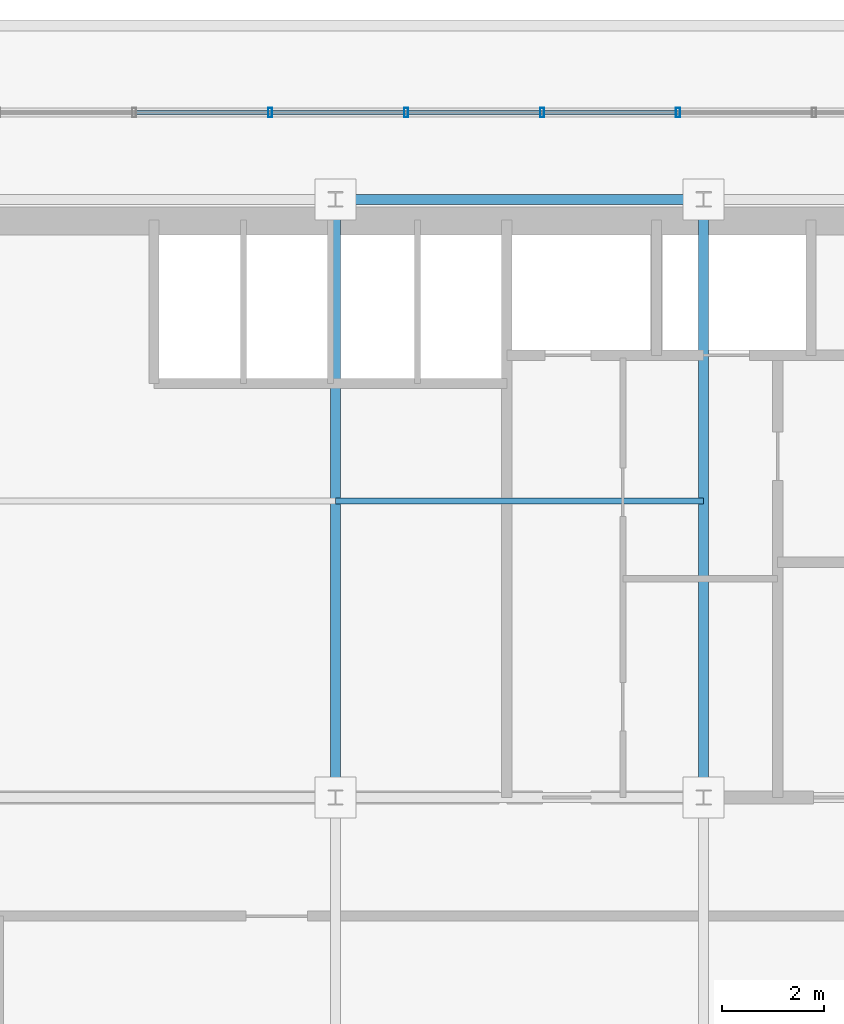
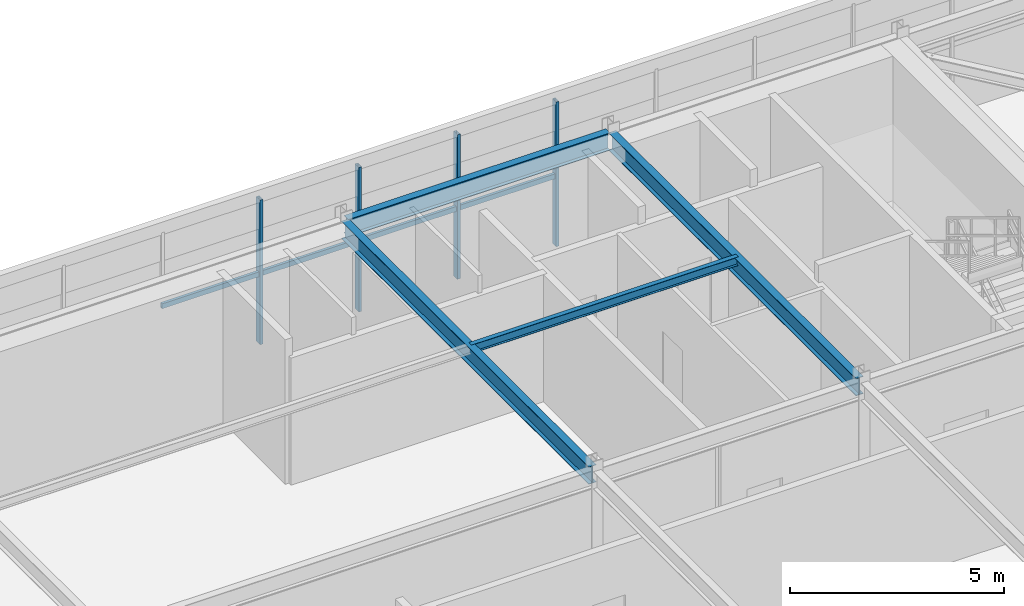
# One storey, part 22 of 38: 9 members, 3 beams, 1 element without a shape of its own.
"""IFC4 building model written with IfcOpenShell, lengths in metres."""

from ifc_helpers import new_model, si_unit, direction, frame, origin, origin_2d, place, context, subcontext, project, spatial, hollow_rectangle, i_section, extrude, source, transform, mapped, material, material_profile, profile_set, type_object, element, aggregate, save


model = new_model("IFC4")

# Units and contexts
model_context = context("Model", 3, precision=1e-05, world=origin(), true_north=direction((0.0, 1.0)))
body_context = subcontext(model_context, "Body", "Model", "MODEL_VIEW")
ifc_project = project(units=[si_unit("LENGTHUNIT", "METRE"), si_unit("AREAUNIT", "SQUARE_METRE"), si_unit("VOLUMEUNIT", "CUBIC_METRE"), si_unit("PLANEANGLEUNIT", "RADIAN"), si_unit("MASSUNIT", "GRAM", prefix="KILO")], contexts=[model_context])

# Site, building, storey
site_placement = place(None, origin())
site = spatial("IfcSite", under=ifc_project, at=site_placement, CompositionType="ELEMENT")
building_placement = place(site_placement, origin())
building = spatial("IfcBuilding", under=site, at=building_placement, Name="Trelvane Seafront Commons", CompositionType="ELEMENT")
storey_placement = place(building_placement, frame((0.0, 0.0, 299.10009765625)))
storey = spatial("IfcBuildingStorey", under=building, at=storey_placement, Name="L78", CompositionType="ELEMENT", Elevation=299.10009765625)

# Beams
ifc_material_1 = material(Name="Steel SM355 (S355)", Category="steel")
ifc_material_profile_1 = material_profile(ifc_material_1, i_section(OverallWidth=0.199951171875, OverallDepth=0.5, WebThickness=0.010009765625, FlangeThickness=0.01611328125, at=origin_2d()), Name="H-500x200x10x16")
ifc_profile_set_1 = profile_set([ifc_material_profile_1], Name="Steel SM355 (S355)")
beam_type_1 = type_object("IfcBeamType", Name="STR-CROWN-FRAME-RING", PredefinedType="SPANDREL", material=ifc_profile_set_1)
shared_shape_1 = source(origin(), body_context, "Body", "SweptSolid", [
    extrude(i_section(OverallWidth=0.199951171875, OverallDepth=0.5, WebThickness=0.010009765625, FlangeThickness=0.01611328125, at=origin_2d()), origin(), (0.0, 0.0, 1.0), 7.050048828125),
])
beam_placement = place(storey_placement, frame((43.875, 45.10009765625, 3.869873046875), z_axis=(1.0, 0.0, 0.0), x_axis=(0.0, 1.0, 0.0)))
element("IfcBeam", 1, at=beam_placement, inside=storey, type_object=beam_type_1, Name="L78 CROWN FRAME Ring Beam G-19", PredefinedType="SPANDREL", context=body_context, shape_type="MappedRepresentation", body=[
    mapped(shared_shape_1, transform((0.0, 0.0, 0.0), x_axis=(1.0, 0.0, 0.0), y_axis=(0.0, 1.0, 0.0), z_axis=(0.0, 0.0, 1.0), scale=1.0)),
])
ifc_material_profile_2 = material_profile(ifc_material_1, i_section(OverallWidth=0.199951171875, OverallDepth=0.5, WebThickness=0.010009765625, FlangeThickness=0.01611328125, at=origin_2d()), Name="H-500x200x10x16")
ifc_profile_set_2 = profile_set([ifc_material_profile_2], Name="Steel SM355 (S355)")
beam_type_2 = type_object("IfcBeamType", Name="STR-BM-H500", PredefinedType="BEAM", material=ifc_profile_set_2)
shared_shape_2 = source(origin(), body_context, "Body", "SweptSolid", [
    extrude(i_section(OverallWidth=0.199951171875, OverallDepth=0.5, WebThickness=0.010009765625, FlangeThickness=0.01611328125, at=origin_2d()), origin(), (0.0, 0.0, 1.0), 11.5498046875),
])
for number, where, z_axis, x_axis, name in (
    (2, (43.800048828125, 33.47509765625, 3.869873046875), (0.0, 1.0, 0.0), (-1.0, 0.0, 0.0), "L78 Primary Girder G-31"),
    (3, (51.0, 33.47509765625, 3.869873046875), (0.0, 1.0, 0.0), (-1.0, 0.0, 0.0), "L78 Primary Girder G-33"),
):
    element("IfcBeam", number, at=place(storey_placement, frame(where, z_axis=z_axis, x_axis=x_axis)), inside=storey, type_object=beam_type_2, Name=name, PredefinedType="BEAM", context=body_context, shape_type="MappedRepresentation", body=[
        mapped(shared_shape_2, transform((0.0, 0.0, 0.0), x_axis=(1.0, 0.0, 0.0), y_axis=(0.0, 1.0, 0.0), z_axis=(0.0, 0.0, 1.0), scale=1.0)),
    ])

# Member
ifc_material_profile_3 = material_profile(ifc_material_1, i_section(OverallWidth=0.125, OverallDepth=0.25, WebThickness=0.006103515625, FlangeThickness=0.009033203125, at=origin_2d()), Name="H-250x125x6x9")
ifc_profile_set_3 = profile_set([ifc_material_profile_3], Name="Steel SM355 (S355)")
member_type_1 = type_object("IfcMemberType", Name="STR-PUR-H250", PredefinedType="PURLIN", material=ifc_profile_set_3)
shared_shape_3 = source(origin(), body_context, "Body", "SweptSolid", [
    extrude(i_section(OverallWidth=0.125, OverallDepth=0.25, WebThickness=0.006103515625, FlangeThickness=0.009033203125, at=origin_2d()), origin(), (0.0, 0.0, 1.0), 7.199951171875),
])
member_1_placement = place(storey_placement, frame((43.800048828125, 39.199951171875, 3.994873046875), z_axis=(1.0, 0.0, 0.0), x_axis=(0.0, 1.0, 0.0)))
element("IfcMember", 4, at=member_1_placement, inside=storey, type_object=member_type_1, Name="L78 Crown Roof Purlin PR-2", PredefinedType="PURLIN", context=body_context, shape_type="MappedRepresentation", body=[
    mapped(shared_shape_3, transform((0.0, 0.0, 0.0), x_axis=(1.0, 0.0, 0.0), y_axis=(0.0, 1.0, 0.0), z_axis=(0.0, 0.0, 1.0), scale=1.0)),
])

# Curtain wall, members
ifc_material_2 = material(Name="Anodised pale-silver aluminium", Category="aluminium")
curtain_wall_type = type_object("IfcCurtainWallType", Name="ARCH-CW6-CROWN", PredefinedType="NOTDEFINED", material=ifc_material_2)
curtain_wall_placement = place(storey_placement, origin())
curtain_wall = element("IfcCurtainWall", 5, at=curtain_wall_placement, inside=storey, type_object=curtain_wall_type, Name="CW-L78-0125", PredefinedType="NOTDEFINED")
ifc_material_profile_4 = material_profile(ifc_material_2, hollow_rectangle(XDim=0.080078125, YDim=0.179931640625, WallThickness=0.00439453125, at=origin_2d()), Name="MULL-80x180x4.5")
ifc_profile_set_4 = profile_set([ifc_material_profile_4], Name="Anodised pale-silver aluminium")
member_type_2 = type_object("IfcMemberType", Name="ARCH-CW-MULL-180", PredefinedType="MULLION", material=ifc_profile_set_4)
shared_shape_4 = source(origin(), body_context, "Body", "SweptSolid", [
    extrude(hollow_rectangle(XDim=0.080078125, YDim=0.179931640625, WallThickness=0.00439453125, at=origin_2d()), origin(), (0.0, 0.0, 1.0), 4.119873046875),
])
member_2_placement = place(storey_placement, frame((42.52001953125, 46.800048828125, 0.0), z_axis=(0.0, 0.0, 1.0), x_axis=(1.0, 0.0, 0.0)))
member_2 = element("IfcMember", 6, at=member_2_placement, type_object=member_type_2, Name="CW-L78-0125-M12", PredefinedType="MULLION", context=body_context, shape_type="MappedRepresentation", body=[
    mapped(shared_shape_4, transform((0.0, 0.0, 0.0), x_axis=(1.0, 0.0, 0.0), y_axis=(0.0, 1.0, 0.0), z_axis=(0.0, 0.0, 1.0), scale=1.0)),
])
member_3_placement = place(storey_placement, frame((45.179931640625, 46.800048828125, 0.0), z_axis=(0.0, 0.0, 1.0), x_axis=(1.0, 0.0, 0.0)))
member_3 = element("IfcMember", 7, at=member_3_placement, type_object=member_type_2, Name="CW-L78-0125-M13", PredefinedType="MULLION", context=body_context, shape_type="MappedRepresentation", body=[
    mapped(shared_shape_4, transform((0.0, 0.0, 0.0), x_axis=(1.0, 0.0, 0.0), y_axis=(0.0, 1.0, 0.0), z_axis=(0.0, 0.0, 1.0), scale=1.0)),
])
member_4_placement = place(storey_placement, frame((47.840087890625, 46.800048828125, 0.0), z_axis=(0.0, 0.0, 1.0), x_axis=(1.0, 0.0, 0.0)))
member_4 = element("IfcMember", 8, at=member_4_placement, type_object=member_type_2, Name="CW-L78-0125-M14", PredefinedType="MULLION", context=body_context, shape_type="MappedRepresentation", body=[
    mapped(shared_shape_4, transform((0.0, 0.0, 0.0), x_axis=(1.0, 0.0, 0.0), y_axis=(0.0, 1.0, 0.0), z_axis=(0.0, 0.0, 1.0), scale=1.0)),
])
member_5_placement = place(storey_placement, frame((50.5, 46.800048828125, 0.0), z_axis=(0.0, 0.0, 1.0), x_axis=(1.0, 0.0, 0.0)))
member_5 = element("IfcMember", 9, at=member_5_placement, type_object=member_type_2, Name="CW-L78-0125-M15", PredefinedType="MULLION", context=body_context, shape_type="MappedRepresentation", body=[
    mapped(shared_shape_4, transform((0.0, 0.0, 0.0), x_axis=(1.0, 0.0, 0.0), y_axis=(0.0, 1.0, 0.0), z_axis=(0.0, 0.0, 1.0), scale=1.0)),
])
ifc_material_profile_5 = material_profile(ifc_material_2, hollow_rectangle(XDim=0.074951171875, YDim=0.139892578125, WallThickness=0.00390625, at=origin_2d()), Name="TRAN-75x140x4")
ifc_profile_set_5 = profile_set([ifc_material_profile_5], Name="Anodised pale-silver aluminium")
member_type_3 = type_object("IfcMemberType", Name="ARCH-CW-TRAN-140", PredefinedType="USERDEFINED", material=ifc_profile_set_5)
shared_shape_5 = source(origin(), body_context, "Body", "SweptSolid", [
    extrude(hollow_rectangle(XDim=0.074951171875, YDim=0.139892578125, WallThickness=0.00390625, at=origin_2d()), origin(), (0.0, 0.0, 1.0), 2.635986328125),
])
member_6_placement = place(storey_placement, frame((39.8720703125, 46.800048828125, 1.977783203125), z_axis=(1.0, 0.0, 0.0), x_axis=(0.0, 1.0, 0.0)))
member_6 = element("IfcMember", 10, at=member_6_placement, type_object=member_type_3, Name="CW-L78-0125-T11", ObjectType="TRANSOM", PredefinedType="USERDEFINED", context=body_context, shape_type="MappedRepresentation", body=[
    mapped(shared_shape_5, transform((0.0, 0.0, 0.0), x_axis=(1.0, 0.0, 0.0), y_axis=(0.0, 1.0, 0.0), z_axis=(0.0, 0.0, 1.0), scale=1.0)),
])
member_7_placement = place(storey_placement, frame((42.531982421875, 46.800048828125, 1.977783203125), z_axis=(1.0, 0.0, 0.0), x_axis=(0.0, 1.0, 0.0)))
member_7 = element("IfcMember", 11, at=member_7_placement, type_object=member_type_3, Name="CW-L78-0125-T12", ObjectType="TRANSOM", PredefinedType="USERDEFINED", context=body_context, shape_type="MappedRepresentation", body=[
    mapped(shared_shape_5, transform((0.0, 0.0, 0.0), x_axis=(1.0, 0.0, 0.0), y_axis=(0.0, 1.0, 0.0), z_axis=(0.0, 0.0, 1.0), scale=1.0)),
])
member_8_placement = place(storey_placement, frame((45.19189453125, 46.800048828125, 1.977783203125), z_axis=(1.0, 0.0, 0.0), x_axis=(0.0, 1.0, 0.0)))
member_8 = element("IfcMember", 12, at=member_8_placement, type_object=member_type_3, Name="CW-L78-0125-T13", ObjectType="TRANSOM", PredefinedType="USERDEFINED", context=body_context, shape_type="MappedRepresentation", body=[
    mapped(shared_shape_5, transform((0.0, 0.0, 0.0), x_axis=(1.0, 0.0, 0.0), y_axis=(0.0, 1.0, 0.0), z_axis=(0.0, 0.0, 1.0), scale=1.0)),
])
member_9_placement = place(storey_placement, frame((47.85205078125, 46.800048828125, 1.977783203125), z_axis=(1.0, 0.0, 0.0), x_axis=(0.0, 1.0, 0.0)))
member_9 = element("IfcMember", 13, at=member_9_placement, type_object=member_type_3, Name="CW-L78-0125-T14", ObjectType="TRANSOM", PredefinedType="USERDEFINED", context=body_context, shape_type="MappedRepresentation", body=[
    mapped(shared_shape_5, transform((0.0, 0.0, 0.0), x_axis=(1.0, 0.0, 0.0), y_axis=(0.0, 1.0, 0.0), z_axis=(0.0, 0.0, 1.0), scale=1.0)),
])
aggregate(curtain_wall, [member_2, member_3, member_4, member_5, member_6, member_7, member_8, member_9])

save(model, "model.ifc")
